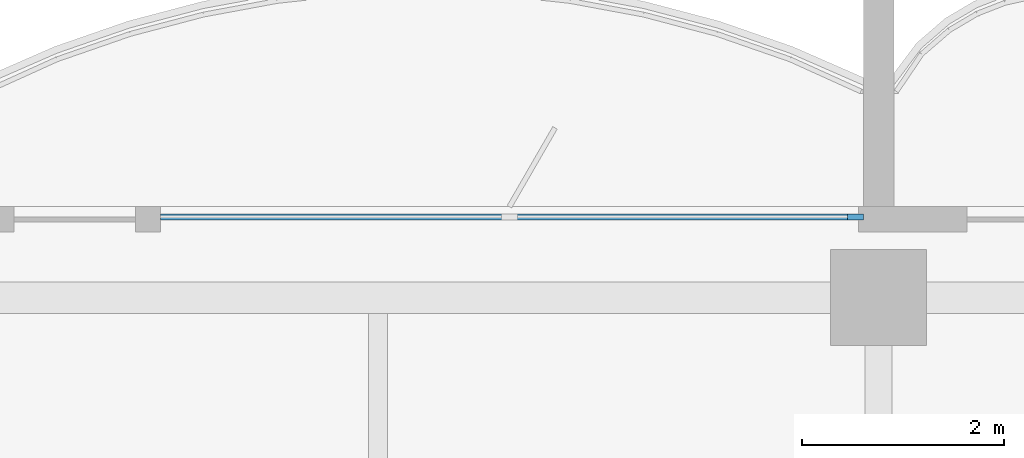
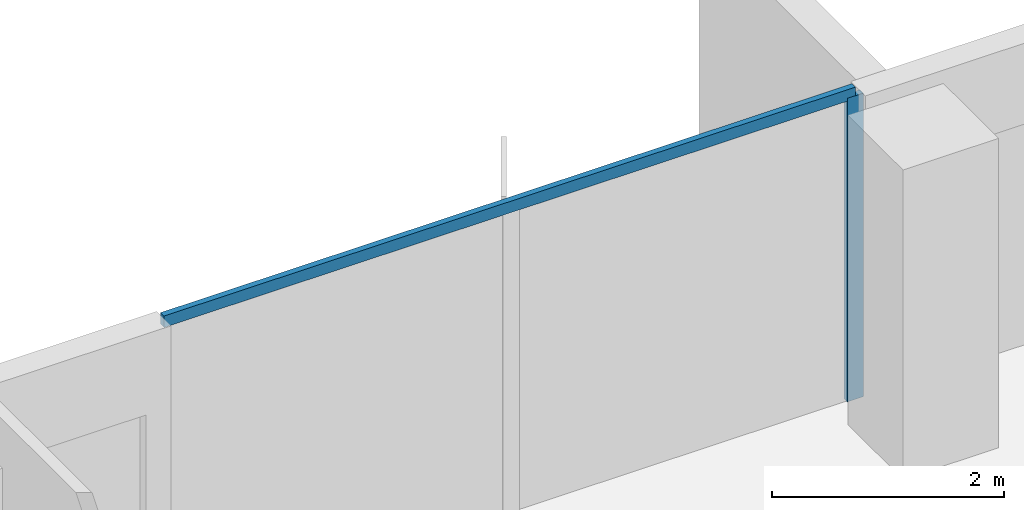
# One storey, part 6 of 17: 2 members, 1 element without a shape of its own.
"""IFC4 building model written with IfcOpenShell, lengths in metres."""

from ifc_helpers import new_model, si_unit, direction, frame, origin, origin_2d, place, context, subcontext, project, spatial, rectangle, extrude, material, material_profile, profile_set, type_object, element, aggregate, save


model = new_model("IFC4")

# Units and contexts
model_context = context("Model", 3, precision=1e-05, world=origin(), true_north=direction((0.0, 1.0)))
body_context = subcontext(model_context, "Body", "Model", "MODEL_VIEW")
ifc_project = project(units=[si_unit("LENGTHUNIT", "METRE"), si_unit("AREAUNIT", "SQUARE_METRE"), si_unit("VOLUMEUNIT", "CUBIC_METRE"), si_unit("PLANEANGLEUNIT", "RADIAN"), si_unit("MASSUNIT", "GRAM", prefix="KILO")], contexts=[model_context])

# Site, building, storey
site_placement = place(None, origin())
site = spatial("IfcSite", under=ifc_project, at=site_placement, CompositionType="ELEMENT")
building_placement = place(site_placement, origin())
building = spatial("IfcBuilding", under=site, at=building_placement, Name="Perihelion Cross Residences", CompositionType="ELEMENT")
storey_placement = place(building_placement, frame((0.0, 0.0, 187.60009765625)))
storey = spatial("IfcBuildingStorey", under=building, at=storey_placement, Name="L46", CompositionType="ELEMENT", Elevation=187.60009765625)

# Curtain wall, members
ifc_material_1 = material(Name="Bronze anodised aluminium, tinted glazing", Category="aluminium")
curtain_wall_type = type_object("IfcCurtainWallType", Name="CW1", PredefinedType="NOTDEFINED", material=ifc_material_1)
curtain_wall_placement = place(storey_placement, origin())
curtain_wall = element("IfcCurtainWall", 1, at=curtain_wall_placement, inside=storey, type_object=curtain_wall_type, Name="Curtain wall CW1 L46 east side north bay 2", PredefinedType="NOTDEFINED")
ifc_material_2 = material(Name="Bronze anodised aluminium", Category="aluminium")
ifc_material_profile_1 = material_profile(ifc_material_2, rectangle(XDim=0.06005859375, YDim=0.159912109375, at=origin_2d()), Name="CW1 mullion")
ifc_profile_set_1 = profile_set([ifc_material_profile_1], Name="Bronze anodised aluminium")
member_type_1 = type_object("IfcMemberType", Name="CW1 mullion", PredefinedType="MULLION", material=ifc_profile_set_1)
member_1_placement = place(storey_placement, frame((17.77001953125, 8.89990234375, 0.0), z_axis=(0.0, 0.0, 1.0), x_axis=(0.0, -1.0, 0.0)))
member_1 = element("IfcMember", 2, at=member_1_placement, type_object=member_type_1, Name="CW1 mullion 1", PredefinedType="MULLION", context=body_context, shape_type="SweptSolid", body=[
    extrude(rectangle(XDim=0.06005859375, YDim=0.159912109375, at=origin_2d()), origin(), (0.0, 0.0, 1.0), 3.18994140625),
])
ifc_material_3 = material(Name="Bronze anodised aluminium", Category="aluminium")
ifc_material_profile_2 = material_profile(ifc_material_3, rectangle(XDim=0.06005859375, YDim=0.1201171875, at=origin_2d()), Name="CW1 transom")
ifc_profile_set_2 = profile_set([ifc_material_profile_2], Name="Bronze anodised aluminium")
member_type_2 = type_object("IfcMemberType", Name="CW1 transom", PredefinedType="USERDEFINED", material=ifc_profile_set_2)
member_2_placement = place(storey_placement, frame((17.77001953125, 8.89990234375, 3.219970703125), z_axis=(-1.0, 0.0, 0.0), x_axis=(0.0, -1.0, 0.0)))
member_2 = element("IfcMember", 3, at=member_2_placement, type_object=member_type_2, Name="CW1 head transom", ObjectType="TRANSOM", PredefinedType="USERDEFINED", context=body_context, shape_type="SweptSolid", body=[
    extrude(rectangle(XDim=0.06005859375, YDim=0.1201171875, at=origin_2d()), origin(), (0.0, 0.0, 1.0), 6.8701171875),
])
aggregate(curtain_wall, [member_1, member_2])

save(model, "model.ifc")
